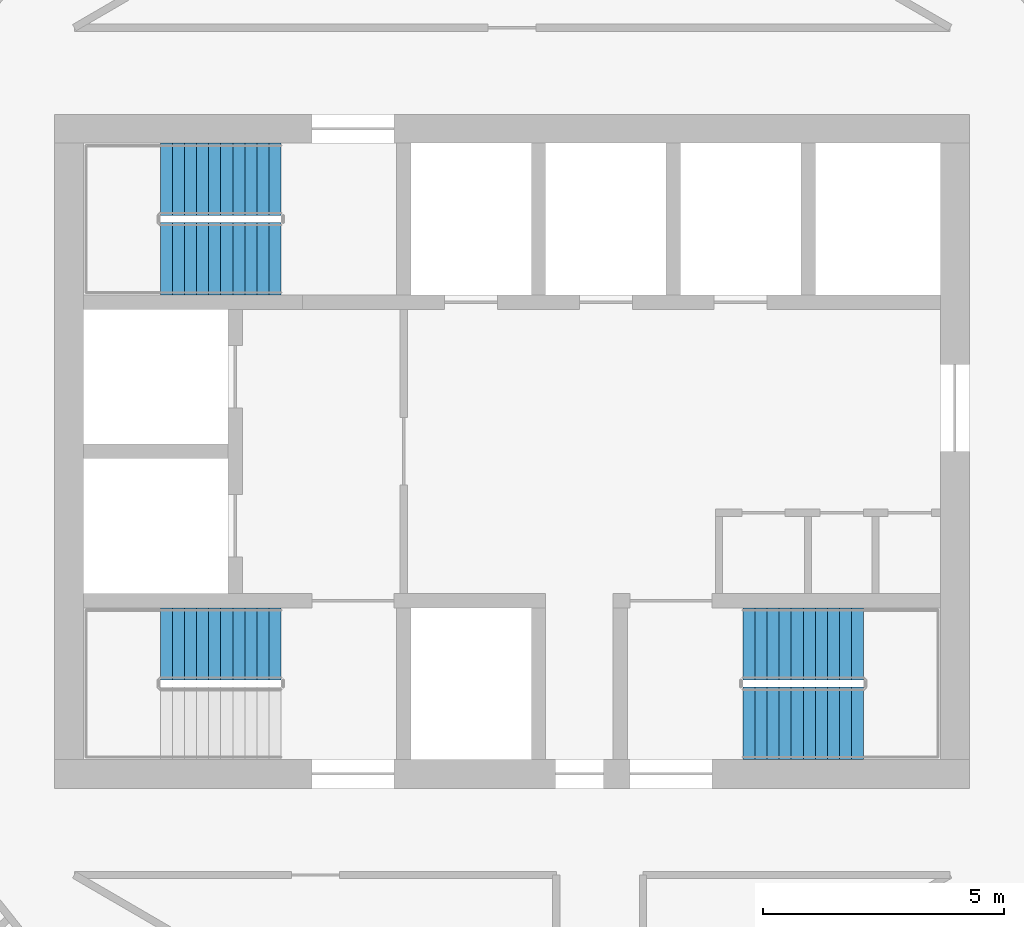
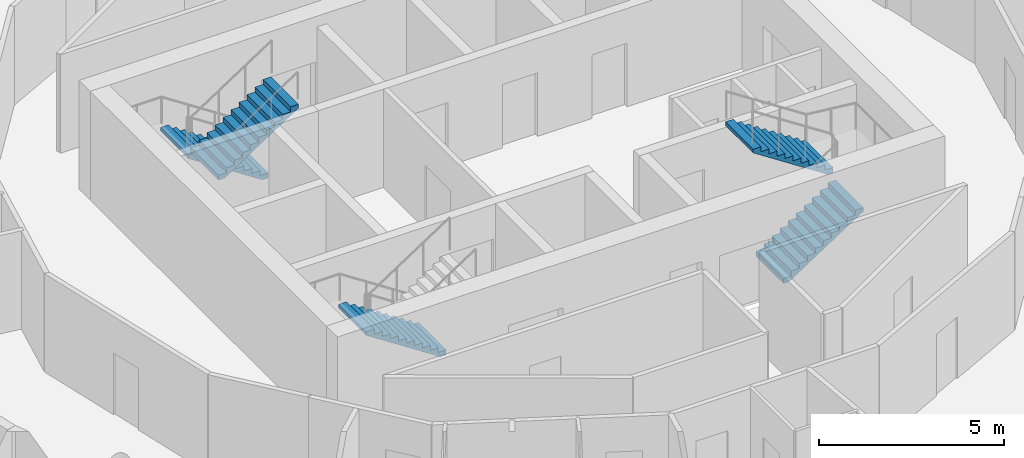
# One storey, part 12 of 13: 5 stair flights, 3 elements without a shape of their own.
"""IFC4 building model written with IfcOpenShell, lengths in metres."""

from ifc_helpers import new_model, si_unit, direction, frame, origin, place, context, subcontext, project, spatial, polyline, outline, extrude, material, type_object, element, aggregate, save


model = new_model("IFC4")

# Units and contexts
model_context = context("Model", 3, precision=1e-05, world=origin(), true_north=direction((0.0, 1.0)))
body_context = subcontext(model_context, "Body", "Model", "MODEL_VIEW")
ifc_project = project(units=[si_unit("LENGTHUNIT", "METRE"), si_unit("AREAUNIT", "SQUARE_METRE"), si_unit("VOLUMEUNIT", "CUBIC_METRE"), si_unit("PLANEANGLEUNIT", "RADIAN"), si_unit("MASSUNIT", "GRAM", prefix="KILO")], contexts=[model_context])

# Site, building, storey
site_placement = place(None, origin())
site = spatial("IfcSite", under=ifc_project, at=site_placement, CompositionType="ELEMENT")
building_placement = place(site_placement, origin())
building = spatial("IfcBuilding", under=site, at=building_placement, Name="Tracery Tower", CompositionType="ELEMENT")
storey_placement = place(building_placement, frame((0.0, 0.0, 301.800048828125)))
storey = spatial("IfcBuildingStorey", under=building, at=storey_placement, Name="L78", CompositionType="ELEMENT", Elevation=301.800048828125)

# Stair, stair flight
ifc_material_1 = material(Name="Concrete C32/40", Category="concrete")
stair_type = type_object("IfcStairType", Name="Core stair 22 risers", PredefinedType="HALF_TURN_STAIR", material=ifc_material_1)
stair_1_placement = place(storey_placement, origin())
stair_1 = element("IfcStair", 1, at=stair_1_placement, inside=storey, type_object=stair_type, Name="L78 stair ST1", PredefinedType="HALF_TURN_STAIR")
ifc_material_2 = material(Name="Concrete C32/40", Category="concrete")
stair_flight_type = type_object("IfcStairFlightType", Name="Core stair flight 11 risers", PredefinedType="STRAIGHT", material=ifc_material_2)
stair_flight_1_placement = place(storey_placement, frame((-4.800048828125, -4.0, 0.0), z_axis=(0.0, 0.0, 1.0), x_axis=(-1.0, 0.0, 0.0)))
stair_flight_1 = element("IfcStairFlight", 2, at=stair_flight_1_placement, type_object=stair_flight_type, Name="ST1 flight 1", NumberOfRisers=11, NumberOfTreads=10, PredefinedType="STRAIGHT", RiserHeight=0.163636364, TreadLength=0.25, context=body_context, shape_type="SweptSolid", body=[
    extrude(outline(polyline([(0.0, 0.0), (0.0, 0.002685546875), (0.0, 0.00537109375), (0.0, 0.008056640625), (0.0, 0.0107421875), (0.0, 0.013427734375), (0.0, 0.01611328125), (0.0, 0.018798828125), (0.0, 0.021484375), (0.0, 0.024169921875), (0.0, 0.02685546875), (0.0, 0.029541015625), (0.0, 0.0322265625), (0.0, 0.034912109375), (0.0, 0.03759765625), (0.0, 0.040283203125), (0.0, 0.04296875), (0.0, 0.045654296875), (0.0, 0.04833984375), (0.0, 0.051025390625), (0.0, 0.0537109375), (0.0, 0.056396484375), (0.0, 0.05908203125), (0.0, 0.061767578125), (0.0, 0.064453125), (0.0, 0.067138671875), (0.0, 0.06982421875), (0.0, 0.072509765625), (0.0, 0.0751953125), (0.0, 0.077880859375), (0.0, 0.08056640625), (0.0, 0.083251953125), (0.0, 0.0859375), (0.0, 0.088623046875), (0.0, 0.09130859375), (0.0, 0.093994140625), (0.0, 0.0966796875), (0.0, 0.099365234375), (0.0, 0.10205078125), (0.0, 0.104736328125), (0.0, 0.107421875), (0.0, 0.10986328125), (0.0, 0.112548828125), (0.0, 0.115234375), (0.0, 0.117919921875), (0.0, 0.12060546875), (0.0, 0.123291015625), (0.0, 0.1259765625), (0.0, 0.128662109375), (0.0, 0.13134765625), (0.0, 0.134033203125), (0.0, 0.13671875), (0.0, 0.139404296875), (0.0, 0.14208984375), (0.0, 0.144775390625), (0.0, 0.1474609375), (0.0, 0.150146484375), (0.0, 0.15283203125), (0.0, 0.155517578125), (0.0, 0.158203125), (0.0, 0.160888671875), (0.0, 0.16357421875), (0.25, 0.16357421875), (0.25, 0.327392578125), (0.5, 0.327392578125), (0.5, 0.490966796875), (0.75, 0.490966796875), (0.75, 0.654541015625), (1.0, 0.654541015625), (1.0, 0.818115234375), (1.25, 0.818115234375), (1.25, 0.98193359375), (1.5, 0.98193359375), (1.5, 1.1455078125), (1.75, 1.1455078125), (1.75, 1.30908203125), (2.0, 1.30908203125), (2.0, 1.47265625), (2.25, 1.47265625), (2.25, 1.636474609375), (2.5, 1.636474609375), (2.5, 1.634521484375), (2.5, 1.63232421875), (2.5, 1.63037109375), (2.5, 1.62841796875), (2.5, 1.62646484375), (2.5, 1.62451171875), (2.5, 1.62255859375), (2.5, 1.62060546875), (2.5, 1.61865234375), (2.5, 1.61669921875), (2.5, 1.61474609375), (2.5, 1.61279296875), (2.5, 1.61083984375), (2.5, 1.60888671875), (2.5, 1.60693359375), (2.5, 1.60498046875), (2.5, 1.60302734375), (2.5, 1.60107421875), (2.5, 1.59912109375), (2.5, 1.59716796875), (2.5, 1.59521484375), (2.5, 1.59326171875), (2.5, 1.59130859375), (2.5, 1.58935546875), (2.5, 1.58740234375), (2.5, 1.58544921875), (2.5, 1.58349609375), (2.5, 1.58154296875), (2.5, 1.57958984375), (2.5, 1.57763671875), (2.5, 1.57568359375), (2.5, 1.573486328125), (2.5, 1.571533203125), (2.5, 1.569580078125), (2.5, 1.567626953125), (2.5, 1.565673828125), (2.5, 1.563720703125), (2.5, 1.561767578125), (2.5, 1.559814453125), (2.5, 1.557861328125), (2.5, 1.555908203125), (2.5, 1.553955078125), (2.5, 1.552001953125), (2.5, 1.550048828125), (2.5, 1.548095703125), (2.5, 1.546142578125), (2.5, 1.544189453125), (2.5, 1.542236328125), (2.5, 1.540283203125), (2.5, 1.538330078125), (2.5, 1.536376953125), (2.5, 1.534423828125), (2.5, 1.532470703125), (2.5, 1.530517578125), (2.5, 1.528564453125), (2.5, 1.526611328125), (2.5, 1.524658203125), (2.5, 1.522705078125), (2.5, 1.520751953125), (2.5, 1.518798828125), (2.5, 1.516845703125), (0.182861328125, 0.0), (0.0, 0.0)])), frame((0.0, 0.75, 0.0), z_axis=(0.0, -1.0, 0.0), x_axis=(1.0, 0.0, 0.0)), (0.0, 0.0, 1.0), 1.5),
])
aggregate(stair_1, [stair_flight_1])

# Stair, stair flights
stair_2_placement = place(storey_placement, origin())
stair_2 = element("IfcStair", 3, at=stair_2_placement, inside=storey, type_object=stair_type, Name="L78 stair ST3", PredefinedType="HALF_TURN_STAIR")
stair_flight_2_placement = place(storey_placement, frame((-4.800048828125, 5.64990234375, 0.0), z_axis=(0.0, 0.0, 1.0), x_axis=(-1.0, 0.0, 0.0)))
stair_flight_2 = element("IfcStairFlight", 4, at=stair_flight_2_placement, type_object=stair_flight_type, Name="ST3 flight 1", NumberOfRisers=11, NumberOfTreads=10, PredefinedType="STRAIGHT", RiserHeight=0.163636364, TreadLength=0.25, context=body_context, shape_type="SweptSolid", body=[
    extrude(outline(polyline([(0.0, 0.0), (0.0, 0.002685546875), (0.0, 0.00537109375), (0.0, 0.008056640625), (0.0, 0.0107421875), (0.0, 0.013427734375), (0.0, 0.01611328125), (0.0, 0.018798828125), (0.0, 0.021484375), (0.0, 0.024169921875), (0.0, 0.02685546875), (0.0, 0.029541015625), (0.0, 0.0322265625), (0.0, 0.034912109375), (0.0, 0.03759765625), (0.0, 0.040283203125), (0.0, 0.04296875), (0.0, 0.045654296875), (0.0, 0.04833984375), (0.0, 0.051025390625), (0.0, 0.0537109375), (0.0, 0.056396484375), (0.0, 0.05908203125), (0.0, 0.061767578125), (0.0, 0.064453125), (0.0, 0.067138671875), (0.0, 0.06982421875), (0.0, 0.072509765625), (0.0, 0.0751953125), (0.0, 0.077880859375), (0.0, 0.08056640625), (0.0, 0.083251953125), (0.0, 0.0859375), (0.0, 0.088623046875), (0.0, 0.09130859375), (0.0, 0.093994140625), (0.0, 0.0966796875), (0.0, 0.099365234375), (0.0, 0.10205078125), (0.0, 0.104736328125), (0.0, 0.107421875), (0.0, 0.10986328125), (0.0, 0.112548828125), (0.0, 0.115234375), (0.0, 0.117919921875), (0.0, 0.12060546875), (0.0, 0.123291015625), (0.0, 0.1259765625), (0.0, 0.128662109375), (0.0, 0.13134765625), (0.0, 0.134033203125), (0.0, 0.13671875), (0.0, 0.139404296875), (0.0, 0.14208984375), (0.0, 0.144775390625), (0.0, 0.1474609375), (0.0, 0.150146484375), (0.0, 0.15283203125), (0.0, 0.155517578125), (0.0, 0.158203125), (0.0, 0.160888671875), (0.0, 0.16357421875), (0.25, 0.16357421875), (0.25, 0.327392578125), (0.5, 0.327392578125), (0.5, 0.490966796875), (0.75, 0.490966796875), (0.75, 0.654541015625), (1.0, 0.654541015625), (1.0, 0.818115234375), (1.25, 0.818115234375), (1.25, 0.98193359375), (1.5, 0.98193359375), (1.5, 1.1455078125), (1.75, 1.1455078125), (1.75, 1.30908203125), (2.0, 1.30908203125), (2.0, 1.47265625), (2.25, 1.47265625), (2.25, 1.636474609375), (2.5, 1.636474609375), (2.5, 1.634521484375), (2.5, 1.63232421875), (2.5, 1.63037109375), (2.5, 1.62841796875), (2.5, 1.62646484375), (2.5, 1.62451171875), (2.5, 1.62255859375), (2.5, 1.62060546875), (2.5, 1.61865234375), (2.5, 1.61669921875), (2.5, 1.61474609375), (2.5, 1.61279296875), (2.5, 1.61083984375), (2.5, 1.60888671875), (2.5, 1.60693359375), (2.5, 1.60498046875), (2.5, 1.60302734375), (2.5, 1.60107421875), (2.5, 1.59912109375), (2.5, 1.59716796875), (2.5, 1.59521484375), (2.5, 1.59326171875), (2.5, 1.59130859375), (2.5, 1.58935546875), (2.5, 1.58740234375), (2.5, 1.58544921875), (2.5, 1.58349609375), (2.5, 1.58154296875), (2.5, 1.57958984375), (2.5, 1.57763671875), (2.5, 1.57568359375), (2.5, 1.573486328125), (2.5, 1.571533203125), (2.5, 1.569580078125), (2.5, 1.567626953125), (2.5, 1.565673828125), (2.5, 1.563720703125), (2.5, 1.561767578125), (2.5, 1.559814453125), (2.5, 1.557861328125), (2.5, 1.555908203125), (2.5, 1.553955078125), (2.5, 1.552001953125), (2.5, 1.550048828125), (2.5, 1.548095703125), (2.5, 1.546142578125), (2.5, 1.544189453125), (2.5, 1.542236328125), (2.5, 1.540283203125), (2.5, 1.538330078125), (2.5, 1.536376953125), (2.5, 1.534423828125), (2.5, 1.532470703125), (2.5, 1.530517578125), (2.5, 1.528564453125), (2.5, 1.526611328125), (2.5, 1.524658203125), (2.5, 1.522705078125), (2.5, 1.520751953125), (2.5, 1.518798828125), (2.5, 1.516845703125), (0.182861328125, 0.0), (0.0, 0.0)])), frame((0.0, 0.75, 0.0), z_axis=(0.0, -1.0, 0.0), x_axis=(1.0, 0.0, 0.0)), (0.0, 0.0, 1.0), 1.5),
])
stair_flight_3_placement = place(storey_placement, frame((-7.300048828125, 4.0, 1.800048828125), z_axis=(0.0, 0.0, 1.0), x_axis=(1.0, 0.0, 0.0)))
stair_flight_3 = element("IfcStairFlight", 5, at=stair_flight_3_placement, type_object=stair_flight_type, Name="ST3 flight 2", NumberOfRisers=11, NumberOfTreads=10, PredefinedType="STRAIGHT", RiserHeight=0.163636364, TreadLength=0.25, context=body_context, shape_type="SweptSolid", body=[
    extrude(outline(polyline([(0.0, 0.0), (0.0, 0.002685546875), (0.0, 0.00537109375), (0.0, 0.008056640625), (0.0, 0.0107421875), (0.0, 0.013427734375), (0.0, 0.01611328125), (0.0, 0.018798828125), (0.0, 0.021484375), (0.0, 0.024169921875), (0.0, 0.02685546875), (0.0, 0.029541015625), (0.0, 0.0322265625), (0.0, 0.034912109375), (0.0, 0.03759765625), (0.0, 0.040283203125), (0.0, 0.04296875), (0.0, 0.045654296875), (0.0, 0.04833984375), (0.0, 0.051025390625), (0.0, 0.0537109375), (0.0, 0.056396484375), (0.0, 0.05908203125), (0.0, 0.061767578125), (0.0, 0.064453125), (0.0, 0.067138671875), (0.0, 0.06982421875), (0.0, 0.072509765625), (0.0, 0.0751953125), (0.0, 0.077880859375), (0.0, 0.08056640625), (0.0, 0.083251953125), (0.0, 0.0859375), (0.0, 0.088623046875), (0.0, 0.09130859375), (0.0, 0.093994140625), (0.0, 0.0966796875), (0.0, 0.099365234375), (0.0, 0.10205078125), (0.0, 0.104736328125), (0.0, 0.107421875), (0.0, 0.10986328125), (0.0, 0.112548828125), (0.0, 0.115234375), (0.0, 0.117919921875), (0.0, 0.12060546875), (0.0, 0.123291015625), (0.0, 0.1259765625), (0.0, 0.128662109375), (0.0, 0.13134765625), (0.0, 0.134033203125), (0.0, 0.13671875), (0.0, 0.139404296875), (0.0, 0.14208984375), (0.0, 0.144775390625), (0.0, 0.1474609375), (0.0, 0.150146484375), (0.0, 0.15283203125), (0.0, 0.155517578125), (0.0, 0.158203125), (0.0, 0.160888671875), (0.0, 0.16357421875), (0.25, 0.16357421875), (0.25, 0.327392578125), (0.5, 0.327392578125), (0.5, 0.490966796875), (0.75, 0.490966796875), (0.75, 0.654541015625), (1.0, 0.654541015625), (1.0, 0.818115234375), (1.25, 0.818115234375), (1.25, 0.98193359375), (1.5, 0.98193359375), (1.5, 1.1455078125), (1.75, 1.1455078125), (1.75, 1.30908203125), (2.0, 1.30908203125), (2.0, 1.47265625), (2.25, 1.47265625), (2.25, 1.636474609375), (2.5, 1.636474609375), (2.5, 1.634521484375), (2.5, 1.63232421875), (2.5, 1.63037109375), (2.5, 1.62841796875), (2.5, 1.62646484375), (2.5, 1.62451171875), (2.5, 1.62255859375), (2.5, 1.62060546875), (2.5, 1.61865234375), (2.5, 1.61669921875), (2.5, 1.61474609375), (2.5, 1.61279296875), (2.5, 1.61083984375), (2.5, 1.60888671875), (2.5, 1.60693359375), (2.5, 1.60498046875), (2.5, 1.60302734375), (2.5, 1.60107421875), (2.5, 1.59912109375), (2.5, 1.59716796875), (2.5, 1.59521484375), (2.5, 1.59326171875), (2.5, 1.59130859375), (2.5, 1.58935546875), (2.5, 1.58740234375), (2.5, 1.58544921875), (2.5, 1.58349609375), (2.5, 1.58154296875), (2.5, 1.57958984375), (2.5, 1.57763671875), (2.5, 1.57568359375), (2.5, 1.573486328125), (2.5, 1.571533203125), (2.5, 1.569580078125), (2.5, 1.567626953125), (2.5, 1.565673828125), (2.5, 1.563720703125), (2.5, 1.561767578125), (2.5, 1.559814453125), (2.5, 1.557861328125), (2.5, 1.555908203125), (2.5, 1.553955078125), (2.5, 1.552001953125), (2.5, 1.550048828125), (2.5, 1.548095703125), (2.5, 1.546142578125), (2.5, 1.544189453125), (2.5, 1.542236328125), (2.5, 1.540283203125), (2.5, 1.538330078125), (2.5, 1.536376953125), (2.5, 1.534423828125), (2.5, 1.532470703125), (2.5, 1.530517578125), (2.5, 1.528564453125), (2.5, 1.526611328125), (2.5, 1.524658203125), (2.5, 1.522705078125), (2.5, 1.520751953125), (2.5, 1.518798828125), (2.5, 1.516845703125), (0.182861328125, 0.0), (0.0, 0.0)])), frame((0.0, 0.75, 0.0), z_axis=(0.0, -1.0, 0.0), x_axis=(1.0, 0.0, 0.0)), (0.0, 0.0, 1.0), 1.5),
])
aggregate(stair_2, [stair_flight_2, stair_flight_3])

stair_3_placement = place(storey_placement, origin())
stair_3 = element("IfcStair", 6, at=stair_3_placement, inside=storey, type_object=stair_type, Name="L78 stair ST2", PredefinedType="HALF_TURN_STAIR")
stair_flight_4_placement = place(storey_placement, frame((4.800048828125, -5.64990234375, 0.0), z_axis=(0.0, 0.0, 1.0), x_axis=(1.0, 0.0, 0.0)))
stair_flight_4 = element("IfcStairFlight", 7, at=stair_flight_4_placement, type_object=stair_flight_type, Name="ST2 flight 1", NumberOfRisers=11, NumberOfTreads=10, PredefinedType="STRAIGHT", RiserHeight=0.163636364, TreadLength=0.25, context=body_context, shape_type="SweptSolid", body=[
    extrude(outline(polyline([(0.0, 0.0), (0.0, 0.002685546875), (0.0, 0.00537109375), (0.0, 0.008056640625), (0.0, 0.0107421875), (0.0, 0.013427734375), (0.0, 0.01611328125), (0.0, 0.018798828125), (0.0, 0.021484375), (0.0, 0.024169921875), (0.0, 0.02685546875), (0.0, 0.029541015625), (0.0, 0.0322265625), (0.0, 0.034912109375), (0.0, 0.03759765625), (0.0, 0.040283203125), (0.0, 0.04296875), (0.0, 0.045654296875), (0.0, 0.04833984375), (0.0, 0.051025390625), (0.0, 0.0537109375), (0.0, 0.056396484375), (0.0, 0.05908203125), (0.0, 0.061767578125), (0.0, 0.064453125), (0.0, 0.067138671875), (0.0, 0.06982421875), (0.0, 0.072509765625), (0.0, 0.0751953125), (0.0, 0.077880859375), (0.0, 0.08056640625), (0.0, 0.083251953125), (0.0, 0.0859375), (0.0, 0.088623046875), (0.0, 0.09130859375), (0.0, 0.093994140625), (0.0, 0.0966796875), (0.0, 0.099365234375), (0.0, 0.10205078125), (0.0, 0.104736328125), (0.0, 0.107421875), (0.0, 0.10986328125), (0.0, 0.112548828125), (0.0, 0.115234375), (0.0, 0.117919921875), (0.0, 0.12060546875), (0.0, 0.123291015625), (0.0, 0.1259765625), (0.0, 0.128662109375), (0.0, 0.13134765625), (0.0, 0.134033203125), (0.0, 0.13671875), (0.0, 0.139404296875), (0.0, 0.14208984375), (0.0, 0.144775390625), (0.0, 0.1474609375), (0.0, 0.150146484375), (0.0, 0.15283203125), (0.0, 0.155517578125), (0.0, 0.158203125), (0.0, 0.160888671875), (0.0, 0.16357421875), (0.25, 0.16357421875), (0.25, 0.327392578125), (0.5, 0.327392578125), (0.5, 0.490966796875), (0.75, 0.490966796875), (0.75, 0.654541015625), (1.0, 0.654541015625), (1.0, 0.818115234375), (1.25, 0.818115234375), (1.25, 0.98193359375), (1.5, 0.98193359375), (1.5, 1.1455078125), (1.75, 1.1455078125), (1.75, 1.30908203125), (2.0, 1.30908203125), (2.0, 1.47265625), (2.25, 1.47265625), (2.25, 1.636474609375), (2.5, 1.636474609375), (2.5, 1.634521484375), (2.5, 1.63232421875), (2.5, 1.63037109375), (2.5, 1.62841796875), (2.5, 1.62646484375), (2.5, 1.62451171875), (2.5, 1.62255859375), (2.5, 1.62060546875), (2.5, 1.61865234375), (2.5, 1.61669921875), (2.5, 1.61474609375), (2.5, 1.61279296875), (2.5, 1.61083984375), (2.5, 1.60888671875), (2.5, 1.60693359375), (2.5, 1.60498046875), (2.5, 1.60302734375), (2.5, 1.60107421875), (2.5, 1.59912109375), (2.5, 1.59716796875), (2.5, 1.59521484375), (2.5, 1.59326171875), (2.5, 1.59130859375), (2.5, 1.58935546875), (2.5, 1.58740234375), (2.5, 1.58544921875), (2.5, 1.58349609375), (2.5, 1.58154296875), (2.5, 1.57958984375), (2.5, 1.57763671875), (2.5, 1.57568359375), (2.5, 1.573486328125), (2.5, 1.571533203125), (2.5, 1.569580078125), (2.5, 1.567626953125), (2.5, 1.565673828125), (2.5, 1.563720703125), (2.5, 1.561767578125), (2.5, 1.559814453125), (2.5, 1.557861328125), (2.5, 1.555908203125), (2.5, 1.553955078125), (2.5, 1.552001953125), (2.5, 1.550048828125), (2.5, 1.548095703125), (2.5, 1.546142578125), (2.5, 1.544189453125), (2.5, 1.542236328125), (2.5, 1.540283203125), (2.5, 1.538330078125), (2.5, 1.536376953125), (2.5, 1.534423828125), (2.5, 1.532470703125), (2.5, 1.530517578125), (2.5, 1.528564453125), (2.5, 1.526611328125), (2.5, 1.524658203125), (2.5, 1.522705078125), (2.5, 1.520751953125), (2.5, 1.518798828125), (2.5, 1.516845703125), (0.182861328125, 0.0), (0.0, 0.0)])), frame((0.0, 0.75, 0.0), z_axis=(0.0, -1.0, 0.0), x_axis=(1.0, 0.0, 0.0)), (0.0, 0.0, 1.0), 1.5),
])
stair_flight_5_placement = place(storey_placement, frame((7.300048828125, -4.0, 1.800048828125), z_axis=(0.0, 0.0, 1.0), x_axis=(-1.0, 0.0, 0.0)))
stair_flight_5 = element("IfcStairFlight", 8, at=stair_flight_5_placement, type_object=stair_flight_type, Name="ST2 flight 2", NumberOfRisers=11, NumberOfTreads=10, PredefinedType="STRAIGHT", RiserHeight=0.163636364, TreadLength=0.25, context=body_context, shape_type="SweptSolid", body=[
    extrude(outline(polyline([(0.0, 0.0), (0.0, 0.002685546875), (0.0, 0.00537109375), (0.0, 0.008056640625), (0.0, 0.0107421875), (0.0, 0.013427734375), (0.0, 0.01611328125), (0.0, 0.018798828125), (0.0, 0.021484375), (0.0, 0.024169921875), (0.0, 0.02685546875), (0.0, 0.029541015625), (0.0, 0.0322265625), (0.0, 0.034912109375), (0.0, 0.03759765625), (0.0, 0.040283203125), (0.0, 0.04296875), (0.0, 0.045654296875), (0.0, 0.04833984375), (0.0, 0.051025390625), (0.0, 0.0537109375), (0.0, 0.056396484375), (0.0, 0.05908203125), (0.0, 0.061767578125), (0.0, 0.064453125), (0.0, 0.067138671875), (0.0, 0.06982421875), (0.0, 0.072509765625), (0.0, 0.0751953125), (0.0, 0.077880859375), (0.0, 0.08056640625), (0.0, 0.083251953125), (0.0, 0.0859375), (0.0, 0.088623046875), (0.0, 0.09130859375), (0.0, 0.093994140625), (0.0, 0.0966796875), (0.0, 0.099365234375), (0.0, 0.10205078125), (0.0, 0.104736328125), (0.0, 0.107421875), (0.0, 0.10986328125), (0.0, 0.112548828125), (0.0, 0.115234375), (0.0, 0.117919921875), (0.0, 0.12060546875), (0.0, 0.123291015625), (0.0, 0.1259765625), (0.0, 0.128662109375), (0.0, 0.13134765625), (0.0, 0.134033203125), (0.0, 0.13671875), (0.0, 0.139404296875), (0.0, 0.14208984375), (0.0, 0.144775390625), (0.0, 0.1474609375), (0.0, 0.150146484375), (0.0, 0.15283203125), (0.0, 0.155517578125), (0.0, 0.158203125), (0.0, 0.160888671875), (0.0, 0.16357421875), (0.25, 0.16357421875), (0.25, 0.327392578125), (0.5, 0.327392578125), (0.5, 0.490966796875), (0.75, 0.490966796875), (0.75, 0.654541015625), (1.0, 0.654541015625), (1.0, 0.818115234375), (1.25, 0.818115234375), (1.25, 0.98193359375), (1.5, 0.98193359375), (1.5, 1.1455078125), (1.75, 1.1455078125), (1.75, 1.30908203125), (2.0, 1.30908203125), (2.0, 1.47265625), (2.25, 1.47265625), (2.25, 1.636474609375), (2.5, 1.636474609375), (2.5, 1.634521484375), (2.5, 1.63232421875), (2.5, 1.63037109375), (2.5, 1.62841796875), (2.5, 1.62646484375), (2.5, 1.62451171875), (2.5, 1.62255859375), (2.5, 1.62060546875), (2.5, 1.61865234375), (2.5, 1.61669921875), (2.5, 1.61474609375), (2.5, 1.61279296875), (2.5, 1.61083984375), (2.5, 1.60888671875), (2.5, 1.60693359375), (2.5, 1.60498046875), (2.5, 1.60302734375), (2.5, 1.60107421875), (2.5, 1.59912109375), (2.5, 1.59716796875), (2.5, 1.59521484375), (2.5, 1.59326171875), (2.5, 1.59130859375), (2.5, 1.58935546875), (2.5, 1.58740234375), (2.5, 1.58544921875), (2.5, 1.58349609375), (2.5, 1.58154296875), (2.5, 1.57958984375), (2.5, 1.57763671875), (2.5, 1.57568359375), (2.5, 1.573486328125), (2.5, 1.571533203125), (2.5, 1.569580078125), (2.5, 1.567626953125), (2.5, 1.565673828125), (2.5, 1.563720703125), (2.5, 1.561767578125), (2.5, 1.559814453125), (2.5, 1.557861328125), (2.5, 1.555908203125), (2.5, 1.553955078125), (2.5, 1.552001953125), (2.5, 1.550048828125), (2.5, 1.548095703125), (2.5, 1.546142578125), (2.5, 1.544189453125), (2.5, 1.542236328125), (2.5, 1.540283203125), (2.5, 1.538330078125), (2.5, 1.536376953125), (2.5, 1.534423828125), (2.5, 1.532470703125), (2.5, 1.530517578125), (2.5, 1.528564453125), (2.5, 1.526611328125), (2.5, 1.524658203125), (2.5, 1.522705078125), (2.5, 1.520751953125), (2.5, 1.518798828125), (2.5, 1.516845703125), (0.182861328125, 0.0), (0.0, 0.0)])), frame((0.0, 0.75, 0.0), z_axis=(0.0, -1.0, 0.0), x_axis=(1.0, 0.0, 0.0)), (0.0, 0.0, 1.0), 1.5),
])
aggregate(stair_3, [stair_flight_4, stair_flight_5])

save(model, "model.ifc")
